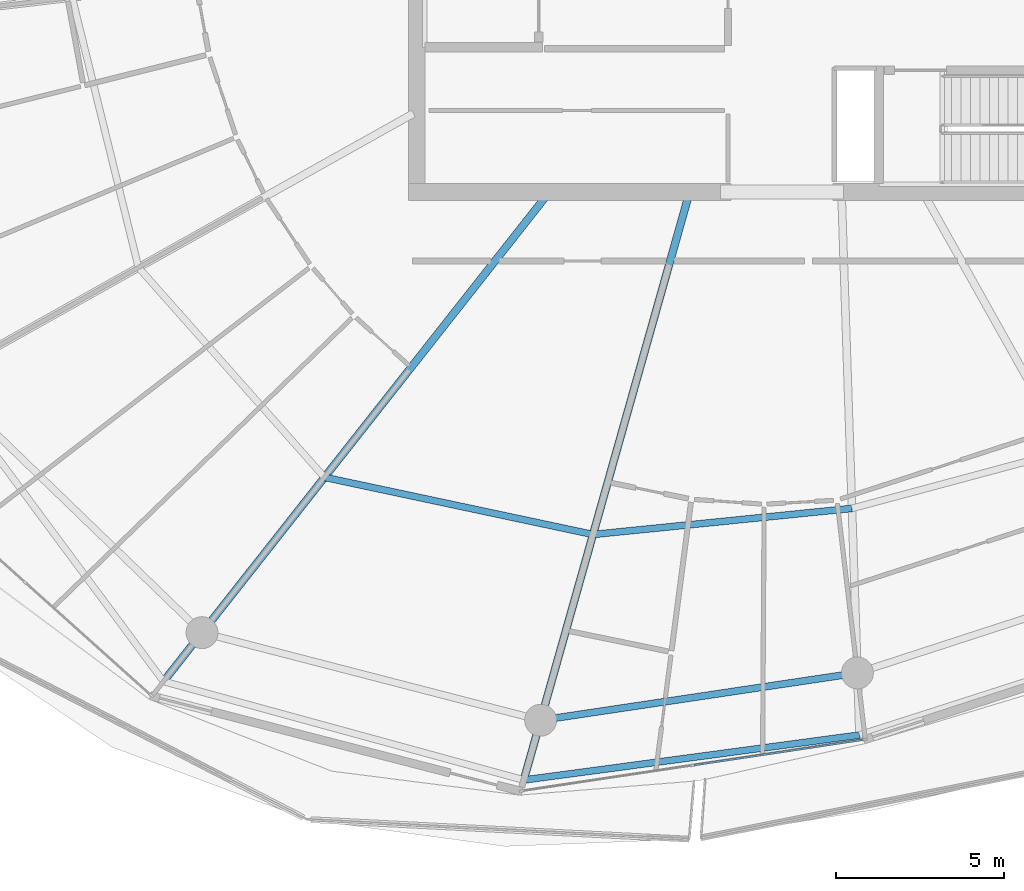
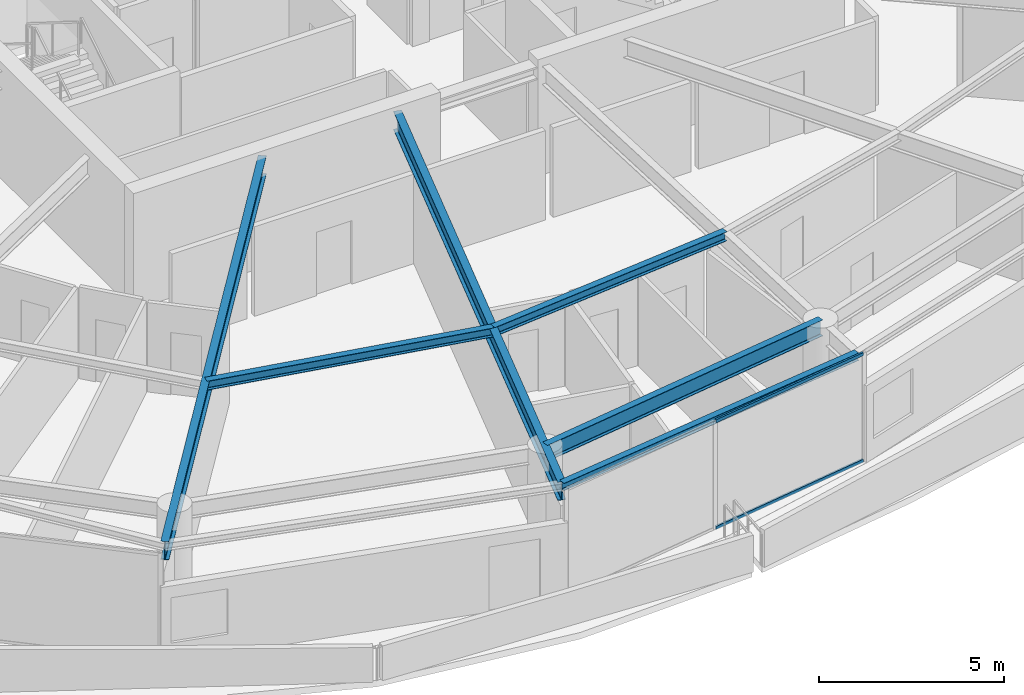
# One storey, part 6 of 29: 6 beams, 2 members, 1 element without a shape of its own.
"""IFC4 building model written with IfcOpenShell, lengths in metres."""

from ifc_helpers import new_model, si_unit, direction, frame, origin, origin_2d, place, context, subcontext, project, spatial, rectangle, i_section, extrude, material, layer, layer_set, material_profile, profile_set, type_object, element, aggregate, save


model = new_model("IFC4")

# Units and contexts
model_context = context("Model", 3, precision=1e-05, world=origin(), true_north=direction((0.0, 1.0)))
body_context = subcontext(model_context, "Body", "Model", "MODEL_VIEW")
ifc_project = project(units=[si_unit("LENGTHUNIT", "METRE"), si_unit("AREAUNIT", "SQUARE_METRE"), si_unit("VOLUMEUNIT", "CUBIC_METRE"), si_unit("PLANEANGLEUNIT", "RADIAN"), si_unit("MASSUNIT", "GRAM", prefix="KILO")], contexts=[model_context])

# Site, building, storey
site_placement = place(None, origin())
site = spatial("IfcSite", under=ifc_project, at=site_placement, CompositionType="ELEMENT")
building_placement = place(site_placement, origin())
building = spatial("IfcBuilding", under=site, at=building_placement, Name="Kazma Halo Residences", CompositionType="ELEMENT")
storey_placement = place(building_placement, frame((0.0, 0.0, 286.75)))
storey = spatial("IfcBuildingStorey", under=building, at=storey_placement, Name="L72", CompositionType="ELEMENT", Elevation=286.75)

# Beams
ifc_material_1 = material(Name="Steel S355", Category="steel")
ifc_material_profile_1 = material_profile(ifc_material_1, i_section(OverallWidth=0.201904296875, OverallDepth=0.2470703125, WebThickness=0.00732421875, FlangeThickness=0.010986328125, FilletRadius=0.011962890625, at=origin_2d()), Name="W250x49.1")
ifc_profile_set_1 = profile_set([ifc_material_profile_1], Name="Steel S355")
beam_type_1 = type_object("IfcBeamType", Name="BM-BAL-CANT", PredefinedType="BEAM", material=ifc_profile_set_1)
beam_1_placement = place(storey_placement, frame((40.73486328125, 16.239990234375, 3.466552734375), z_axis=(0.991136135569, 0.132850144029, 0.0), x_axis=(-0.132850144029, 0.991136135569, 0.0)))
element("IfcBeam", 1, at=beam_1_placement, inside=storey, type_object=beam_type_1, Name="L72 wave-balcony tie beam 11", PredefinedType="BEAM", context=body_context, shape_type="SweptSolid", body=[
    extrude(i_section(OverallWidth=0.201904296875, OverallDepth=0.2470703125, WebThickness=0.00732421875, FlangeThickness=0.010986328125, FilletRadius=0.011962890625, at=origin_2d()), origin(), (0.0, 0.0, 1.0), 10.087158203125),
])
ifc_material_profile_2 = material_profile(ifc_material_1, i_section(OverallWidth=0.22802734375, OverallDepth=0.60791015625, WebThickness=0.01123046875, FlangeThickness=0.017333984375, FilletRadius=0.01806640625, at=origin_2d()), Name="W610x113")
ifc_profile_set_2 = profile_set([ifc_material_profile_2], Name="Steel S355")
beam_type_2 = type_object("IfcBeamType", Name="BM-RAD-W610", PredefinedType="BEAM", material=ifc_profile_set_2)
beam_2_placement = place(storey_placement, frame((41.41748046875, 33.64990234375, 3.285888671875), z_axis=(-0.619094367176, -0.785316601461, 0.0), x_axis=(0.785316601461, -0.619094367176, 0.0)))
element("IfcBeam", 2, at=beam_2_placement, inside=storey, type_object=beam_type_2, Name="L72 radial floor beam 10", PredefinedType="BEAM", context=body_context, shape_type="SweptSolid", body=[
    extrude(i_section(OverallWidth=0.22802734375, OverallDepth=0.60791015625, WebThickness=0.01123046875, FlangeThickness=0.017333984375, FilletRadius=0.01806640625, at=origin_2d()), origin(), (0.0, 0.0, 1.0), 18.429931640625),
])
beam_3_placement = place(storey_placement, frame((45.64501953125, 33.64990234375, 3.285888671875), z_axis=(-0.271443175073, -0.962454467861, 0.0), x_axis=(0.962454467861, -0.271443175073, 0.0)))
element("IfcBeam", 3, at=beam_3_placement, inside=storey, type_object=beam_type_2, Name="L72 radial floor beam 11", PredefinedType="BEAM", context=body_context, shape_type="SweptSolid", body=[
    extrude(i_section(OverallWidth=0.22802734375, OverallDepth=0.60791015625, WebThickness=0.01123046875, FlangeThickness=0.017333984375, FilletRadius=0.01806640625, at=origin_2d()), origin(), (0.0, 0.0, 1.0), 18.089111328125),
])
ifc_material_profile_3 = material_profile(ifc_material_1, i_section(OverallWidth=0.202880859375, OverallDepth=0.302978515625, WebThickness=0.007568359375, FlangeThickness=0.01318359375, FilletRadius=0.013916015625, at=origin_2d()), Name="W310x60")
ifc_profile_set_3 = profile_set([ifc_material_profile_3], Name="Steel S355")
beam_type_3 = type_object("IfcBeamType", Name="BM-SEC-W310A", PredefinedType="JOIST", material=ifc_profile_set_3)
beam_4_placement = place(storey_placement, frame((34.7998046875, 25.25537109375, 3.4384765625), z_axis=(0.97806685939, -0.208291186956, 0.0), x_axis=(0.208291186956, 0.97806685939, 0.0)))
element("IfcBeam", 4, at=beam_4_placement, inside=storey, type_object=beam_type_3, Name="L72 circumferential floor joist 10", PredefinedType="JOIST", context=body_context, shape_type="SweptSolid", body=[
    extrude(i_section(OverallWidth=0.202880859375, OverallDepth=0.302978515625, WebThickness=0.007568359375, FlangeThickness=0.01318359375, FilletRadius=0.013916015625, at=origin_2d()), origin(), (0.0, 0.0, 1.0), 8.1767578125),
])
beam_5_placement = place(storey_placement, frame((42.797119140625, 23.55224609375, 3.4384765625), z_axis=(0.994958290831, 0.100289578258, 0.0), x_axis=(-0.100289578258, 0.994958290831, 0.0)))
element("IfcBeam", 5, at=beam_5_placement, inside=storey, type_object=beam_type_3, Name="L72 circumferential floor joist 11", PredefinedType="JOIST", context=body_context, shape_type="SweptSolid", body=[
    extrude(i_section(OverallWidth=0.202880859375, OverallDepth=0.302978515625, WebThickness=0.007568359375, FlangeThickness=0.01318359375, FilletRadius=0.013916015625, at=origin_2d()), origin(), (0.0, 0.0, 1.0), 7.7509765625),
])
ifc_material_profile_4 = material_profile(ifc_material_1, i_section(OverallWidth=0.208984375, OverallDepth=0.532958984375, WebThickness=0.01025390625, FlangeThickness=0.015625, FilletRadius=0.01611328125, at=origin_2d()), Name="W530x92")
ifc_profile_set_4 = profile_set([ifc_material_profile_4], Name="Steel S355")
beam_type_4 = type_object("IfcBeamType", Name="BM-SPN-W530", PredefinedType="BEAM", material=ifc_profile_set_4)
beam_6_placement = place(storey_placement, frame((41.237060546875, 18.0205078125, 3.323486328125), z_axis=(0.989035441627, 0.147678350495, 0.0), x_axis=(-0.147678350495, 0.989035441627, 0.0)))
element("IfcBeam", 6, at=beam_6_placement, inside=storey, type_object=beam_type_4, Name="L72 perimeter ring beam 11", PredefinedType="BEAM", context=body_context, shape_type="SweptSolid", body=[
    extrude(i_section(OverallWidth=0.208984375, OverallDepth=0.532958984375, WebThickness=0.01025390625, FlangeThickness=0.015625, FilletRadius=0.01611328125, at=origin_2d()), origin(), (0.0, 0.0, 1.0), 9.538818359375),
])

# Curtain wall, members
ifc_material_2 = material(Name="Aluminium AW-6063 T6 and Triple-Silver Low-E Glass", Category="aluminium")
ifc_layer = layer(ifc_material_2, 0.139892578125)
ifc_layer_set = layer_set([ifc_layer], Name="Aluminium AW-6063 T6 and Triple-Silver Low-E Glass")
curtain_wall_type = type_object("IfcCurtainWallType", Name="CW-SYS-5", PredefinedType="NOTDEFINED", material=ifc_layer_set)
curtain_wall_placement = place(storey_placement, origin())
curtain_wall = element("IfcCurtainWall", 7, at=curtain_wall_placement, inside=storey, type_object=curtain_wall_type, Name="L72 unitised curtain wall B11", PredefinedType="NOTDEFINED")
ifc_material_3 = material(Name="Aluminium AW-6063 T6", Category="aluminium")
ifc_material_profile_5 = material_profile(ifc_material_3, rectangle(XDim=0.06005859375, YDim=0.10498046875, at=origin_2d()), Name="CWT-60x105")
ifc_profile_set_5 = profile_set([ifc_material_profile_5], Name="Aluminium AW-6063 T6")
member_type = type_object("IfcMemberType", Name="CW-SYS-5-TRN", PredefinedType="USERDEFINED", material=ifc_profile_set_5)
member_1_placement = place(storey_placement, frame((45.80322265625, 16.6845703125, 0.030029296875), z_axis=(0.988882913569, 0.148696278541, 0.0), x_axis=(-0.148696278541, 0.988882913569, 0.0)))
member_1 = element("IfcMember", 8, at=member_1_placement, type_object=member_type, Name="CWS-5 transom 2.1", ObjectType="TRANSOM", PredefinedType="USERDEFINED", context=body_context, shape_type="SweptSolid", body=[
    extrude(rectangle(XDim=0.06005859375, YDim=0.10498046875, at=origin_2d()), origin(), (0.0, 0.0, 1.0), 5.099609375),
])
member_2_placement = place(storey_placement, frame((45.80322265625, 16.6845703125, 3.56005859375), z_axis=(0.988882913569, 0.148696278541, 0.0), x_axis=(-0.148696278541, 0.988882913569, 0.0)))
member_2 = element("IfcMember", 9, at=member_2_placement, type_object=member_type, Name="CWS-5 transom 2.2", ObjectType="TRANSOM", PredefinedType="USERDEFINED", context=body_context, shape_type="SweptSolid", body=[
    extrude(rectangle(XDim=0.06005859375, YDim=0.10498046875, at=origin_2d()), origin(), (0.0, 0.0, 1.0), 5.099609375),
])
aggregate(curtain_wall, [member_1, member_2])

save(model, "model.ifc")
